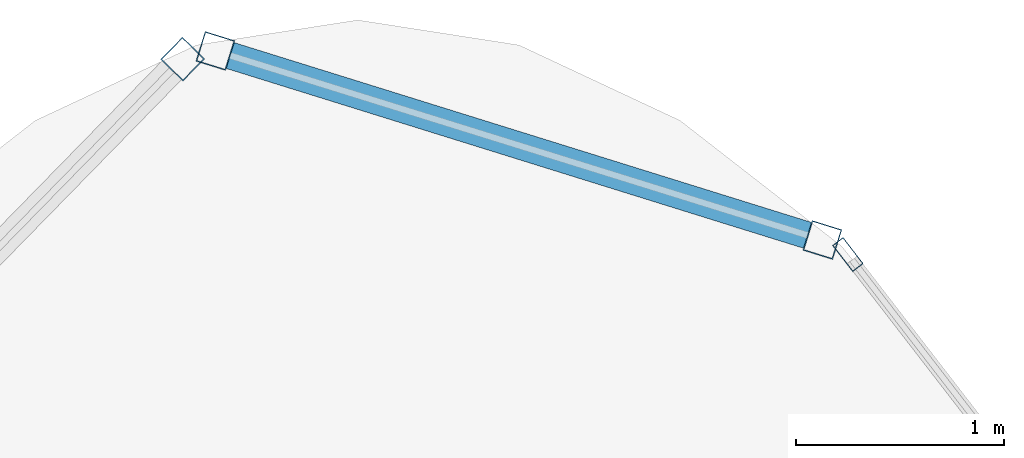
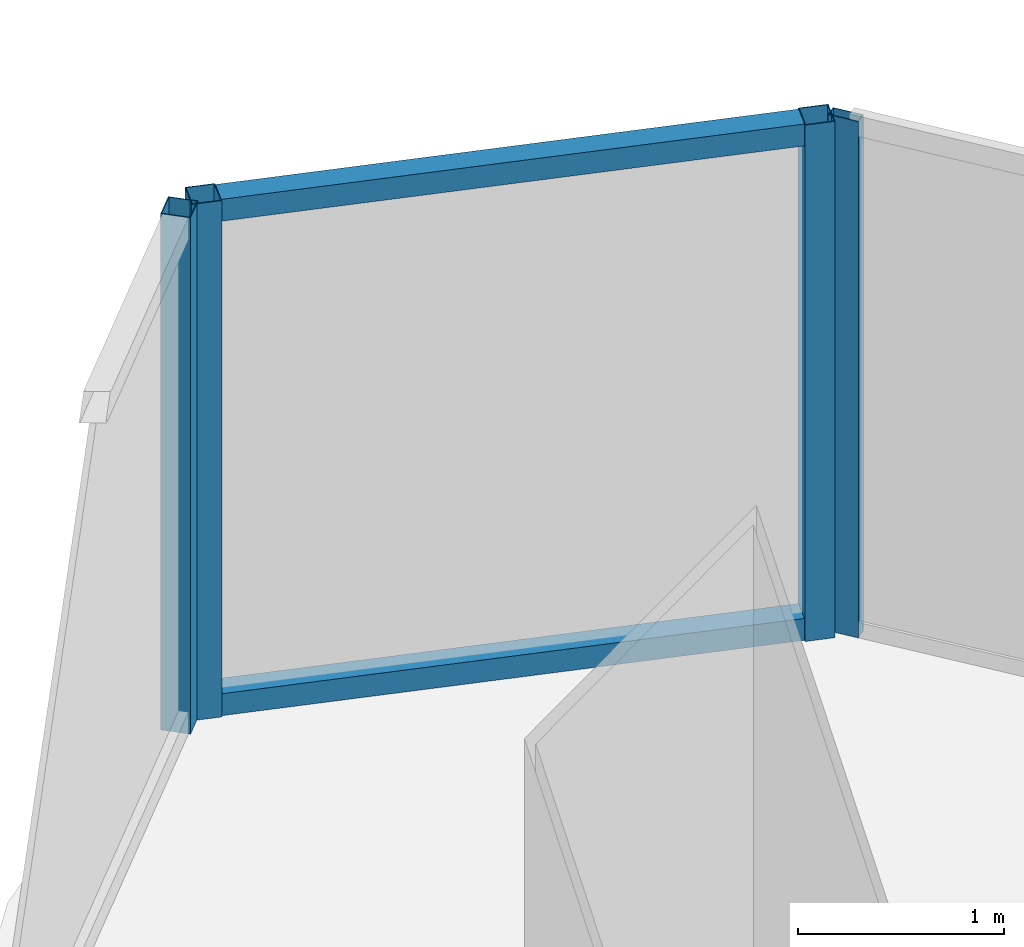
# One storey, part 23 of 29: 6 members, 3 elements without a shape of their own.
"""IFC4 building model written with IfcOpenShell, lengths in metres."""

from ifc_helpers import new_model, si_unit, direction, frame, origin, origin_2d, place, context, subcontext, project, spatial, hollow_rectangle, extrude, material, layer, layer_set, material_profile, profile_set, type_object, element, aggregate, save


model = new_model("IFC4")

# Units and contexts
model_context = context("Model", 3, precision=1e-05, world=origin(), true_north=direction((0.0, 1.0)))
body_context = subcontext(model_context, "Body", "Model", "MODEL_VIEW")
ifc_project = project(units=[si_unit("LENGTHUNIT", "METRE"), si_unit("AREAUNIT", "SQUARE_METRE"), si_unit("VOLUMEUNIT", "CUBIC_METRE"), si_unit("PLANEANGLEUNIT", "RADIAN"), si_unit("MASSUNIT", "GRAM", prefix="KILO")], contexts=[model_context])

# Site, building, storey
site_placement = place(None, origin())
site = spatial("IfcSite", under=ifc_project, at=site_placement, CompositionType="ELEMENT")
building_placement = place(site_placement, origin())
building = spatial("IfcBuilding", under=site, at=building_placement, Name="Orvanel Arch Residences", CompositionType="ELEMENT")
storey_placement = place(building_placement, frame((0.0, 0.0, 243.64990234375)))
storey = spatial("IfcBuildingStorey", under=building, at=storey_placement, Name="L69", CompositionType="ELEMENT", Elevation=243.64990234375)

# Curtain wall, members
ifc_material = material(Name="Bronze-anodised aluminium AA6063-T6", Category="aluminium")
ifc_layer_1 = layer(ifc_material, 0.18994140625)
ifc_layer_set_1 = layer_set([ifc_layer_1], Name="Bronze-anodised aluminium AA6063-T6")
curtain_wall_type_1 = type_object("IfcCurtainWallType", Name="CW5-CRN-SYS", PredefinedType="NOTDEFINED", material=ifc_layer_set_1)
curtain_wall_1_placement = place(storey_placement, origin())
curtain_wall_1 = element("IfcCurtainWall", 1, at=curtain_wall_1_placement, inside=storey, type_object=curtain_wall_type_1, Name="L69 CW5-CRN-SYS Unitised Curtain Wall", PredefinedType="NOTDEFINED")
ifc_material_profile_1 = material_profile(ifc_material, hollow_rectangle(XDim=0.14990234375, YDim=0.14990234375, WallThickness=0.0048828125, at=origin_2d()), Name="ALU150x150x5")
ifc_profile_set_1 = profile_set([ifc_material_profile_1], Name="Bronze-anodised aluminium AA6063-T6")
member_type_1 = type_object("IfcMemberType", Name="MUL-150x150", PredefinedType="MULLION", material=ifc_profile_set_1)
member_1_placement = place(storey_placement, frame((35.23046875, 44.2001953125, 0.0), z_axis=(0.0, 0.0, 1.0), x_axis=(-0.297332318759, -0.954774052968, 0.0)))
member_1 = element("IfcMember", 2, at=member_1_placement, type_object=member_type_1, Name="CW-S5 mullion 1", PredefinedType="MULLION", context=body_context, shape_type="SweptSolid", body=[
    extrude(hollow_rectangle(XDim=0.14990234375, YDim=0.14990234375, WallThickness=0.0048828125, at=origin_2d()), origin(), (0.0, 0.0, 1.0), 3.06005859375),
])
member_2_placement = place(storey_placement, frame((32.316650390625, 45.107666015625, 0.0), z_axis=(0.0, 0.0, 1.0), x_axis=(-0.297332318759, -0.954774052968, 0.0)))
member_2 = element("IfcMember", 3, at=member_2_placement, type_object=member_type_1, Name="CW-S5 mullion 2", PredefinedType="MULLION", context=body_context, shape_type="SweptSolid", body=[
    extrude(hollow_rectangle(XDim=0.14990234375, YDim=0.14990234375, WallThickness=0.0048828125, at=origin_2d()), origin(), (0.0, 0.0, 1.0), 3.06005859375),
])

# Curtain wall, member
curtain_wall_2_placement = place(storey_placement, origin())
curtain_wall_2 = element("IfcCurtainWall", 4, at=curtain_wall_2_placement, inside=storey, type_object=curtain_wall_type_1, Name="L69 CW5-CRN-SYS Unitised Curtain Wall", PredefinedType="NOTDEFINED")
member_3_placement = place(storey_placement, frame((32.15966796875, 45.068359375, 0.0), z_axis=(0.0, 0.0, 1.0), x_axis=(0.71514941275, -0.69897161419, 0.0)))
member_3 = element("IfcMember", 5, at=member_3_placement, type_object=member_type_1, Name="CW-S5 mullion 1", PredefinedType="MULLION", context=body_context, shape_type="SweptSolid", body=[
    extrude(hollow_rectangle(XDim=0.14990234375, YDim=0.14990234375, WallThickness=0.0048828125, at=origin_2d()), origin(), (0.0, 0.0, 1.0), 3.06005859375),
])
aggregate(curtain_wall_2, [member_3])

ifc_layer_2 = layer(ifc_material, 0.175048828125)
ifc_layer_set_2 = layer_set([ifc_layer_2], Name="Bronze-anodised aluminium AA6063-T6")
curtain_wall_type_2 = type_object("IfcCurtainWallType", Name="CW4-HI-SYS", PredefinedType="NOTDEFINED", material=ifc_layer_set_2)
curtain_wall_3_placement = place(storey_placement, origin())
curtain_wall_3 = element("IfcCurtainWall", 6, at=curtain_wall_3_placement, inside=storey, type_object=curtain_wall_type_2, Name="L69 CW4-HI-SYS Unitised Curtain Wall", PredefinedType="NOTDEFINED")
ifc_material_profile_2 = material_profile(ifc_material, hollow_rectangle(XDim=0.06494140625, YDim=0.159912109375, WallThickness=0.00390625, at=origin_2d()), Name="ALU160x65x4")
ifc_profile_set_2 = profile_set([ifc_material_profile_2], Name="Bronze-anodised aluminium AA6063-T6")
member_type_2 = type_object("IfcMemberType", Name="MUL-160x65", PredefinedType="MULLION", material=ifc_profile_set_2)
member_4_placement = place(storey_placement, frame((35.352783203125, 44.13037109375, 0.0), z_axis=(0.0, 0.0, 1.0), x_axis=(-0.791477630276, -0.611198135446, 0.0)))
member_4 = element("IfcMember", 7, at=member_4_placement, type_object=member_type_2, Name="CW-S4 mullion 3", PredefinedType="MULLION", context=body_context, shape_type="SweptSolid", body=[
    extrude(hollow_rectangle(XDim=0.06494140625, YDim=0.159912109375, WallThickness=0.00390625, at=origin_2d()), origin(), (0.0, 0.0, 1.0), 3.06005859375),
])
aggregate(curtain_wall_3, [member_4])

# Member
ifc_material_profile_3 = material_profile(ifc_material, hollow_rectangle(XDim=0.1298828125, YDim=0.1298828125, WallThickness=0.00439453125, at=origin_2d()), Name="ALU130x130x4.5")
ifc_profile_set_3 = profile_set([ifc_material_profile_3], Name="Bronze-anodised aluminium AA6063-T6")
member_type_3 = type_object("IfcMemberType", Name="TRN-130x130", PredefinedType="USERDEFINED", material=ifc_profile_set_3)
member_5_placement = place(storey_placement, frame((35.15869140625, 44.22265625, 0.065185546875), z_axis=(-0.954772943491, 0.297335881415, 0.0), x_axis=(-0.297335881415, -0.954772943491, 0.0)))
member_5 = element("IfcMember", 8, at=member_5_placement, type_object=member_type_3, Name="CW-S5 transom 1.1", ObjectType="TRANSOM", PredefinedType="USERDEFINED", context=body_context, shape_type="SweptSolid", body=[
    extrude(hollow_rectangle(XDim=0.1298828125, YDim=0.1298828125, WallThickness=0.00439453125, at=origin_2d()), origin(), (0.0, 0.0, 1.0), 2.90185546875),
])

member_6_placement = place(storey_placement, frame((35.15869140625, 44.22265625, 2.9951171875), z_axis=(-0.954772943491, 0.297335881415, 0.0), x_axis=(-0.297335881415, -0.954772943491, 0.0)))
member_6 = element("IfcMember", 9, at=member_6_placement, type_object=member_type_3, Name="CW-S5 transom 1.2", ObjectType="TRANSOM", PredefinedType="USERDEFINED", context=body_context, shape_type="SweptSolid", body=[
    extrude(hollow_rectangle(XDim=0.1298828125, YDim=0.1298828125, WallThickness=0.00439453125, at=origin_2d()), origin(), (0.0, 0.0, 1.0), 2.90185546875),
])

aggregate(curtain_wall_1, [member_1, member_2, member_5, member_6])

save(model, "model.ifc")
